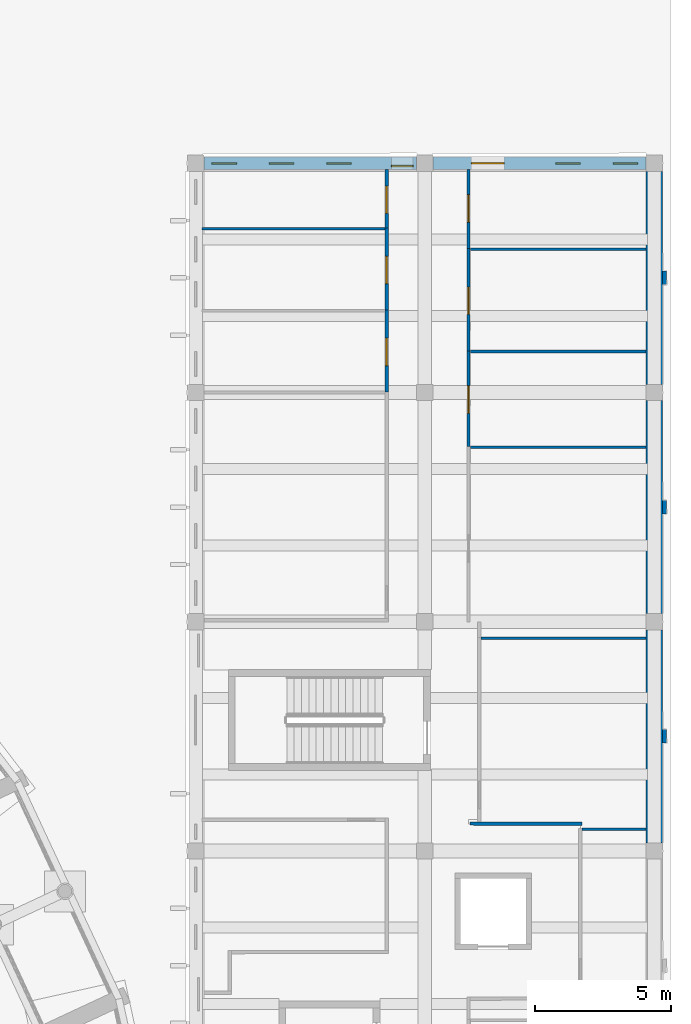
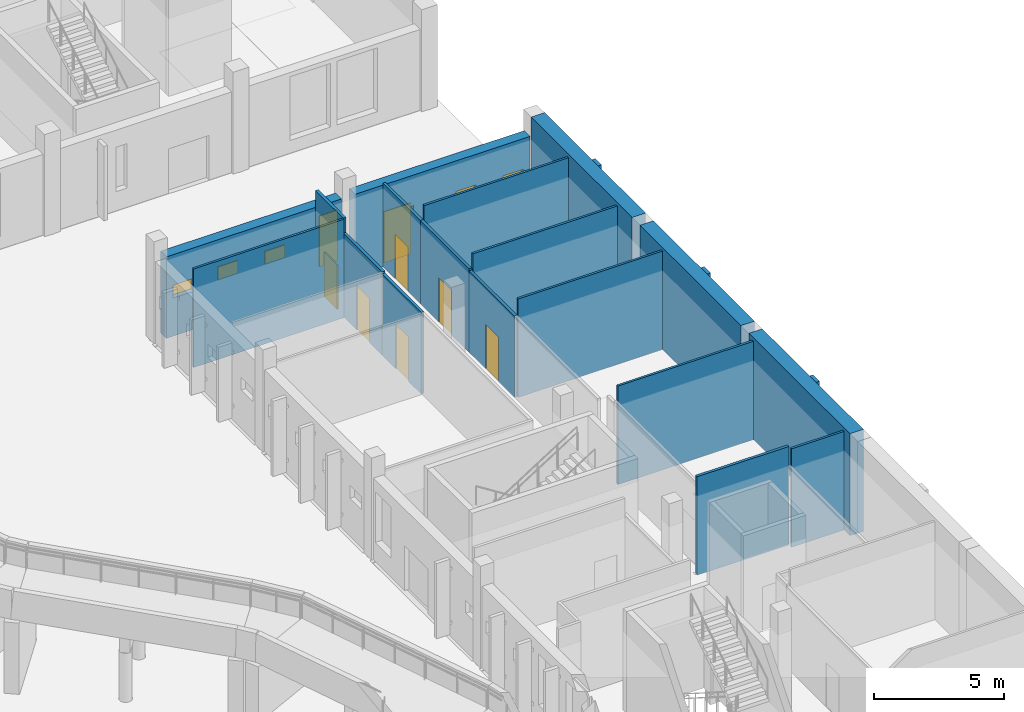
# One storey, part 61 of 110: 21 walls, 7 doors, 6 windows, 13 openings.
"""IFC4 building model written with IfcOpenShell, lengths in metres."""

from ifc_helpers import new_model, si_unit, direction, frame, frame_2d, origin, place, context, subcontext, project, spatial, rectangle, extrude, material, layer, layer_set, type_object, element, fill, save


model = new_model("IFC4")

# Units and contexts
model_context = context("Model", 3, precision=1e-05, world=origin(), true_north=direction((0.0, 1.0)))
body_context = subcontext(model_context, "Body", "Model", "MODEL_VIEW")
ifc_project = project(units=[si_unit("LENGTHUNIT", "METRE"), si_unit("AREAUNIT", "SQUARE_METRE"), si_unit("VOLUMEUNIT", "CUBIC_METRE"), si_unit("PLANEANGLEUNIT", "RADIAN"), si_unit("MASSUNIT", "GRAM", prefix="KILO")], contexts=[model_context])

# Site, building, storey
site_placement = place(None, origin())
site = spatial("IfcSite", under=ifc_project, at=site_placement, CompositionType="ELEMENT")
building_placement = place(site_placement, origin())
building = spatial("IfcBuilding", under=site, at=building_placement, Name="Larchfold Concert Hall", CompositionType="ELEMENT")
storey_placement = place(building_placement, origin())
storey = spatial("IfcBuildingStorey", under=building, at=storey_placement, Name="L00", CompositionType="ELEMENT", Elevation=0.0)

# Wall
ifc_material_1 = material(Name="Plasterboard partition on steel studs", Category="steel")
ifc_layer_1 = layer(ifc_material_1, 0.125)
ifc_layer_set_1 = layer_set([ifc_layer_1], Name="Plasterboard partition on steel studs")
wall_type_1 = type_object("IfcWallType", Name="Corridor partition 125 EI 60", PredefinedType="PARTITIONING", material=ifc_layer_set_1)
wall_1_placement = place(storey_placement, frame((94.66162109375, 35.207763671875, 0.0), z_axis=(0.0, 0.0, 1.0), x_axis=(0.999997702175, -0.002143745446, 0.0)))
element("IfcWall", 1, at=wall_1_placement, inside=storey, type_object=wall_type_1, Name="Partition IW0053", PredefinedType="PARTITIONING", context=body_context, shape_type="SweptSolid", body=[
    extrude(rectangle(XDim=4.099853515625, YDim=0.125, at=frame_2d((2.0498046875, 0.0))), origin(), (0.0, 0.0, 1.0), 4.639892578125),
])

# Wall, opening, door
wall_2_placement = place(storey_placement, frame((94.60009765625, 52.52001953125, 0.0), z_axis=(0.0, 0.0, 1.0), x_axis=(-0.000279017846, -0.999999961075, 0.0)))
wall_2 = element("IfcWall", 2, at=wall_2_placement, inside=storey, type_object=wall_type_1, Name="Partition IW0058", PredefinedType="PARTITIONING", context=body_context, shape_type="SweptSolid", body=[
    extrude(rectangle(XDim=3.5, YDim=0.125, at=frame_2d((1.75, 0.0))), origin(), (0.0, 0.0, 1.0), 3.840087890625),
])
opening_1_placement = place(wall_2_placement, frame((1.27978515625, 0.0, 0.0)))
opening_1 = element("IfcOpeningElement", 3, at=opening_1_placement, cuts=wall_2, Name="Opening D-L00-123", PredefinedType="OPENING", context=body_context, shape_type="SweptSolid", body=[
    extrude(rectangle(XDim=1.0, YDim=2.10009765625, at=frame_2d((0.5, 1.050048828125))), frame((0.0, 0.072509765625, 0.0), z_axis=(0.0, -1.0, 0.0), x_axis=(1.0, 0.0, 0.0)), (0.0, 0.0, 1.0), 0.14501953125),
])
ifc_material_2 = material(Name="Timber door leaf", Category="wood")
door_type_1 = type_object("IfcDoorType", Name="Accessible WC door 1000 x 2100 FD30S", OperationType="SINGLE_SWING_LEFT", PredefinedType="DOOR", material=ifc_material_2)
door_1_placement = place(opening_1_placement, origin())
door_1 = element("IfcDoor", 4, at=door_1_placement, inside=storey, type_object=door_type_1, Name="Door D-L00-123", OperationType="SINGLE_SWING_RIGHT", OverallHeight=2.10009765625, OverallWidth=1.0, PredefinedType="DOOR", context=body_context, shape_type="SweptSolid", body=[
    extrude(rectangle(XDim=1.0, YDim=2.10009765625, at=frame_2d((0.5, 1.050048828125))), frame((0.0, 0.02490234375, 0.0), z_axis=(0.0, -1.0, 0.0), x_axis=(1.0, 0.0, 0.0)), (0.0, 0.0, 1.0), 0.050048828125),
])
fill(opening_1, door_1)

wall_3_placement = place(storey_placement, frame((91.60009765625, 51.02001953125, 0.0), z_axis=(0.0, 0.0, 1.0), x_axis=(0.0, 1.0, 0.0)))
wall_3 = element("IfcWall", 5, at=wall_3_placement, inside=storey, type_object=wall_type_1, Name="Partition IW0059", PredefinedType="PARTITIONING", context=body_context, shape_type="SweptSolid", body=[
    extrude(rectangle(XDim=3.0, YDim=0.125, at=frame_2d((1.5, 0.0))), origin(), (0.0, 0.0, 1.0), 3.840087890625),
])
opening_2_placement = place(wall_3_placement, frame((0.969970703125, 0.0, 0.0)))
opening_2 = element("IfcOpeningElement", 6, at=opening_2_placement, cuts=wall_3, Name="Opening D-L00-124", PredefinedType="OPENING", context=body_context, shape_type="SweptSolid", body=[
    extrude(rectangle(XDim=1.0, YDim=2.10009765625, at=frame_2d((0.5, 1.050048828125))), frame((0.0, 0.072509765625, 0.0), z_axis=(0.0, -1.0, 0.0), x_axis=(1.0, 0.0, 0.0)), (0.0, 0.0, 1.0), 0.14501953125),
])
ifc_material_3 = material(Name="Timber door leaf", Category="wood")
door_type_2 = type_object("IfcDoorType", Name="Dressing room door 1000 x 2100 FD30S", OperationType="SINGLE_SWING_LEFT", PredefinedType="DOOR", material=ifc_material_3)
door_2_placement = place(opening_2_placement, origin())
door_2 = element("IfcDoor", 7, at=door_2_placement, inside=storey, type_object=door_type_2, Name="Door D-L00-124", OperationType="SINGLE_SWING_RIGHT", OverallHeight=2.10009765625, OverallWidth=1.0, PredefinedType="DOOR", context=body_context, shape_type="SweptSolid", body=[
    extrude(rectangle(XDim=1.0, YDim=2.10009765625, at=frame_2d((0.5, 1.050048828125))), frame((0.0, 0.02490234375, 0.0), z_axis=(0.0, -1.0, 0.0), x_axis=(1.0, 0.0, 0.0)), (0.0, 0.0, 1.0), 0.050048828125),
])
fill(opening_2, door_2)

wall_4_placement = place(storey_placement, frame((94.60009765625, 56.27001953125, 0.0), z_axis=(0.0, 0.0, 1.0), x_axis=(0.0, -1.0, 0.0)))
wall_4 = element("IfcWall", 8, at=wall_4_placement, inside=storey, type_object=wall_type_1, Name="Partition IW0060", PredefinedType="PARTITIONING", context=body_context, shape_type="SweptSolid", body=[
    extrude(rectangle(XDim=3.75, YDim=0.125, at=frame_2d((1.875, 0.0))), origin(), (0.0, 0.0, 1.0), 3.93994140625),
])
opening_3_placement = place(wall_4_placement, frame((1.40478515625, 0.0, 0.0)))
opening_3 = element("IfcOpeningElement", 9, at=opening_3_placement, cuts=wall_4, Name="Opening D-L00-125", PredefinedType="OPENING", context=body_context, shape_type="SweptSolid", body=[
    extrude(rectangle(XDim=1.0, YDim=2.10009765625, at=frame_2d((0.5, 1.050048828125))), frame((0.0, 0.072509765625, 0.0), z_axis=(0.0, -1.0, 0.0), x_axis=(1.0, 0.0, 0.0)), (0.0, 0.0, 1.0), 0.14501953125),
])
door_3_placement = place(opening_3_placement, origin())
door_3 = element("IfcDoor", 10, at=door_3_placement, inside=storey, type_object=door_type_2, Name="Door D-L00-125", OperationType="SINGLE_SWING_RIGHT", OverallHeight=2.10009765625, OverallWidth=1.0, PredefinedType="DOOR", context=body_context, shape_type="SweptSolid", body=[
    extrude(rectangle(XDim=1.0, YDim=2.10009765625, at=frame_2d((0.5, 1.050048828125))), frame((0.0, 0.02490234375, 0.0), z_axis=(0.0, -1.0, 0.0), x_axis=(1.0, 0.0, 0.0)), (0.0, 0.0, 1.0), 0.050048828125),
])
fill(opening_3, door_3)

wall_5_placement = place(storey_placement, frame((91.60009765625, 54.02001953125, 0.0), z_axis=(0.0, 0.0, 1.0), x_axis=(0.0, 1.0, 0.0)))
wall_5 = element("IfcWall", 11, at=wall_5_placement, inside=storey, type_object=wall_type_1, Name="Partition IW0061", PredefinedType="PARTITIONING", context=body_context, shape_type="SweptSolid", body=[
    extrude(rectangle(XDim=3.0, YDim=0.125, at=frame_2d((1.5, 0.0))), origin(), (0.0, 0.0, 1.0), 3.93994140625),
])
opening_4_placement = place(wall_5_placement, frame((0.969970703125, 0.0, 0.0)))
opening_4 = element("IfcOpeningElement", 12, at=opening_4_placement, cuts=wall_5, Name="Opening D-L00-126", PredefinedType="OPENING", context=body_context, shape_type="SweptSolid", body=[
    extrude(rectangle(XDim=1.0, YDim=2.10009765625, at=frame_2d((0.5, 1.050048828125))), frame((0.0, 0.072509765625, 0.0), z_axis=(0.0, -1.0, 0.0), x_axis=(1.0, 0.0, 0.0)), (0.0, 0.0, 1.0), 0.14501953125),
])
door_4_placement = place(opening_4_placement, origin())
door_4 = element("IfcDoor", 13, at=door_4_placement, inside=storey, type_object=door_type_2, Name="Door D-L00-126", OperationType="SINGLE_SWING_RIGHT", OverallHeight=2.10009765625, OverallWidth=1.0, PredefinedType="DOOR", context=body_context, shape_type="SweptSolid", body=[
    extrude(rectangle(XDim=1.0, YDim=2.10009765625, at=frame_2d((0.5, 1.050048828125))), frame((0.0, 0.02490234375, 0.0), z_axis=(0.0, -1.0, 0.0), x_axis=(1.0, 0.0, 0.0)), (0.0, 0.0, 1.0), 0.050048828125),
])
fill(opening_4, door_4)

wall_6_placement = place(storey_placement, frame((91.60009765625, 57.02001953125, 0.0), z_axis=(0.0, 0.0, 1.0), x_axis=(0.0, 1.0, 0.0)))
wall_6 = element("IfcWall", 14, at=wall_6_placement, inside=storey, type_object=wall_type_1, Name="Partition IW0062", PredefinedType="PARTITIONING", context=body_context, shape_type="SweptSolid", body=[
    extrude(rectangle(XDim=2.15478515625, YDim=0.125, at=frame_2d((1.077392578125, 0.0))), origin(), (0.0, 0.0, 1.0), 4.639892578125),
])
opening_5_placement = place(wall_6_placement, frame((0.5400390625, 0.0, 0.0)))
opening_5 = element("IfcOpeningElement", 15, at=opening_5_placement, cuts=wall_6, Name="Opening D-L00-127", PredefinedType="OPENING", context=body_context, shape_type="SweptSolid", body=[
    extrude(rectangle(XDim=1.0, YDim=2.10009765625, at=frame_2d((0.5, 1.050048828125))), frame((0.0, 0.072509765625, 0.0), z_axis=(0.0, -1.0, 0.0), x_axis=(1.0, 0.0, 0.0)), (0.0, 0.0, 1.0), 0.14501953125),
])
door_5_placement = place(opening_5_placement, origin())
door_5 = element("IfcDoor", 16, at=door_5_placement, inside=storey, type_object=door_type_2, Name="Door D-L00-127", OperationType="SINGLE_SWING_RIGHT", OverallHeight=2.10009765625, OverallWidth=1.0, PredefinedType="DOOR", context=body_context, shape_type="SweptSolid", body=[
    extrude(rectangle(XDim=1.0, YDim=2.10009765625, at=frame_2d((0.5, 1.050048828125))), frame((0.0, 0.02490234375, 0.0), z_axis=(0.0, -1.0, 0.0), x_axis=(1.0, 0.0, 0.0)), (0.0, 0.0, 1.0), 0.050048828125),
])
fill(opening_5, door_5)

wall_7_placement = place(storey_placement, frame((94.60009765625, 59.1748046875, 0.0), z_axis=(0.0, 0.0, 1.0), x_axis=(0.0, -1.0, 0.0)))
wall_7 = element("IfcWall", 17, at=wall_7_placement, inside=storey, type_object=wall_type_1, Name="Partition IW0063", PredefinedType="PARTITIONING", context=body_context, shape_type="SweptSolid", body=[
    extrude(rectangle(XDim=2.90478515625, YDim=0.125, at=frame_2d((1.452392578125, 0.0))), origin(), (0.0, 0.0, 1.0), 3.93994140625),
])
opening_6_placement = place(wall_7_placement, frame((0.93505859375, 0.0, 0.0)))
opening_6 = element("IfcOpeningElement", 18, at=opening_6_placement, cuts=wall_7, Name="Opening D-L00-128", PredefinedType="OPENING", context=body_context, shape_type="SweptSolid", body=[
    extrude(rectangle(XDim=1.0, YDim=2.10009765625, at=frame_2d((0.5, 1.050048828125))), frame((0.0, 0.072509765625, 0.0), z_axis=(0.0, -1.0, 0.0), x_axis=(1.0, 0.0, 0.0)), (0.0, 0.0, 1.0), 0.14501953125),
])
door_6_placement = place(opening_6_placement, origin())
door_6 = element("IfcDoor", 19, at=door_6_placement, inside=storey, type_object=door_type_2, Name="Door D-L00-128", OperationType="SINGLE_SWING_RIGHT", OverallHeight=2.10009765625, OverallWidth=1.0, PredefinedType="DOOR", context=body_context, shape_type="SweptSolid", body=[
    extrude(rectangle(XDim=1.0, YDim=2.10009765625, at=frame_2d((0.5, 1.050048828125))), frame((0.0, 0.02490234375, 0.0), z_axis=(0.0, -1.0, 0.0), x_axis=(1.0, 0.0, 0.0)), (0.0, 0.0, 1.0), 0.050048828125),
])
fill(opening_6, door_6)

# Walls
ifc_material_4 = material(Name="Plasterboard partition on steel studs", Category="steel")
ifc_layer_2 = layer(ifc_material_4, 0.10009765625)
ifc_layer_set_2 = layer_set([ifc_layer_2], Name="Plasterboard partition on steel studs")
wall_type_2 = type_object("IfcWallType", Name="Stud partition 100", PredefinedType="PARTITIONING", material=ifc_layer_set_2)
wall_8_placement = place(storey_placement, frame((98.764892578125, 35.0, 0.0), z_axis=(0.0, 0.0, 1.0), x_axis=(1.0, 0.0, 0.0)))
element("IfcWall", 20, at=wall_8_placement, inside=storey, type_object=wall_type_2, Name="Partition IW0068", PredefinedType="PARTITIONING", context=body_context, shape_type="SweptSolid", body=[
    extrude(rectangle(XDim=2.335205078125, YDim=0.10009765625, at=frame_2d((1.16748046875, 0.0))), origin(), (0.0, 0.0, 1.0), 4.639892578125),
])
wall_9_placement = place(storey_placement, frame((95.06494140625, 42.0, 0.0), z_axis=(0.0, 0.0, 1.0), x_axis=(1.0, 0.0, 0.0)))
element("IfcWall", 21, at=wall_9_placement, inside=storey, type_object=wall_type_2, Name="Partition IW0069", PredefinedType="PARTITIONING", context=body_context, shape_type="SweptSolid", body=[
    extrude(rectangle(XDim=6.03515625, YDim=0.10009765625, at=frame_2d((3.017578125, 0.0))), origin(), (0.0, 0.0, 1.0), 4.639892578125),
])
for number, where, z_axis, x_axis, name in (
    (22, (94.6650390625, 49.0, 0.0), (0.0, 0.0, 1.0), (1.0, 0.0, 0.0), "Partition IW0070"),
    (23, (94.6650390625, 52.5, 0.0), (0.0, 0.0, 1.0), (1.0, 0.0, 0.0), "Partition IW0072"),
    (24, (94.6650390625, 56.25, 0.0), (0.0, 0.0, 1.0), (1.0, 0.0, 0.0), "Partition IW0074"),
):
    element("IfcWall", number, at=place(storey_placement, frame(where, z_axis=z_axis, x_axis=x_axis)), inside=storey, type_object=wall_type_2, Name=name, PredefinedType="PARTITIONING", context=body_context, shape_type="SweptSolid", body=[
        extrude(rectangle(XDim=6.43505859375, YDim=0.10009765625, at=frame_2d((3.217529296875, 0.0))), origin(), (0.0, 0.0, 1.0), 4.639892578125),
    ])
wall_10_placement = place(storey_placement, frame((84.8251953125, 57.0, 0.0), z_axis=(0.0, 0.0, 1.0), x_axis=(1.0, 0.0, 0.0)))
element("IfcWall", 25, at=wall_10_placement, inside=storey, type_object=wall_type_2, Name="Partition IW0075", PredefinedType="PARTITIONING", context=body_context, shape_type="SweptSolid", body=[
    extrude(rectangle(XDim=6.709716796875, YDim=0.10009765625, at=frame_2d((3.35498046875, 0.0))), origin(), (0.0, 0.0, 1.0), 4.639892578125),
])
ifc_material_5 = material(Name="Concrete C40/50", Category="concrete")
ifc_layer_3 = layer(ifc_material_5, 0.60009765625)
ifc_layer_set_3 = layer_set([ifc_layer_3], Name="Concrete C40/50")
wall_type_3 = type_object("IfcWallType", Name="Wall RC 600 party wall", PredefinedType="SOLIDWALL", material=ifc_layer_set_3)
for number, where, z_axis, x_axis, name in (
    (26, (101.39990234375, 34.5, 0.0), (0.0, 0.0, 1.0), (0.0, 1.0, 0.0), "Wall W0024"),
    (27, (101.39990234375, 42.89990234375, 0.0), (0.0, 0.0, 1.0), (0.0, 1.0, 0.0), "Wall W0025"),
    (28, (101.39990234375, 51.300048828125, 0.0), (0.0, 0.0, 1.0), (0.0, 1.0, 0.0), "Wall W0026"),
):
    element("IfcWall", number, at=place(storey_placement, frame(where, z_axis=z_axis, x_axis=x_axis)), inside=storey, type_object=wall_type_3, Name=name, PredefinedType="SOLIDWALL", context=body_context, shape_type="SweptSolid", body=[
        extrude(rectangle(XDim=7.800048828125, YDim=0.60009765625, at=frame_2d((3.89990234375, 0.0))), origin(), (0.0, 0.0, 1.0), 4.800048828125),
    ])

# Wall, openings, door, windows
ifc_material_6 = material(Name="White render on mineral wool and block")
ifc_layer_4 = layer(ifc_material_6, 0.449951171875)
ifc_layer_set_4 = layer_set([ifc_layer_4], Name="White render on mineral wool and block")
wall_type_4 = type_object("IfcWallType", Name="White render infill wall 450", PredefinedType="SOLIDWALL", material=ifc_layer_set_4)
wall_11_placement = place(storey_placement, frame((101.099853515625, 59.39990234375, 0.0), z_axis=(0.0, 0.0, 1.0), x_axis=(-1.0, 0.0, 0.0)))
wall_11 = element("IfcWall", 29, at=wall_11_placement, inside=storey, type_object=wall_type_4, Name="Infill wall W5123", PredefinedType="SOLIDWALL", context=body_context, shape_type="SweptSolid", body=[
    extrude(rectangle(XDim=7.7998046875, YDim=0.449951171875, at=frame_2d((3.89990234375, 0.0))), origin(), (0.0, 0.0, 1.0), 3.840087890625),
])
opening_7_placement = place(wall_11_placement, frame((5.19970703125, 0.0, 0.0)))
opening_7 = element("IfcOpeningElement", 30, at=opening_7_placement, cuts=wall_11, Name="Opening D-L00-219", PredefinedType="OPENING", context=body_context, shape_type="SweptSolid", body=[
    extrude(rectangle(XDim=1.199951171875, YDim=2.39990234375, at=frame_2d((0.60009765625, 1.199951171875))), frame((0.0, 0.23486328125, 0.0), z_axis=(0.0, -1.0, 0.0), x_axis=(1.0, 0.0, 0.0)), (0.0, 0.0, 1.0), 0.469970703125),
])
opening_8_placement = place(wall_11_placement, frame((2.39990234375, 0.0, 1.800048828125)))
opening_8 = element("IfcOpeningElement", 31, at=opening_8_placement, cuts=wall_11, Name="Opening WN-L00-050", PredefinedType="OPENING", context=body_context, shape_type="SweptSolid", body=[
    extrude(rectangle(XDim=0.89990234375, YDim=0.60009765625, at=frame_2d((0.449951171875, 0.300048828125))), frame((0.0, 0.23486328125, 0.0), z_axis=(0.0, -1.0, 0.0), x_axis=(1.0, 0.0, 0.0)), (0.0, 0.0, 1.0), 0.469970703125),
])
opening_9_placement = place(wall_11_placement, frame((0.2998046875, 0.0, 1.800048828125)))
opening_9 = element("IfcOpeningElement", 32, at=opening_9_placement, cuts=wall_11, Name="Opening WN-L00-051", PredefinedType="OPENING", context=body_context, shape_type="SweptSolid", body=[
    extrude(rectangle(XDim=0.89990234375, YDim=0.60009765625, at=frame_2d((0.449951171875, 0.300048828125))), frame((0.0, 0.23486328125, 0.0), z_axis=(0.0, -1.0, 0.0), x_axis=(1.0, 0.0, 0.0)), (0.0, 0.0, 1.0), 0.469970703125),
])
ifc_material_7 = material(Name="Anodised graphite aluminium door leaf", Category="aluminium")
door_type_3 = type_object("IfcDoorType", Name="Service door single 1200x2400", OperationType="SINGLE_SWING_LEFT", PredefinedType="DOOR", material=ifc_material_7)
door_7_placement = place(opening_7_placement, origin())
door_7 = element("IfcDoor", 33, at=door_7_placement, inside=storey, type_object=door_type_3, Name="Door D-L00-219", OperationType="SINGLE_SWING_LEFT", OverallHeight=2.39990234375, OverallWidth=1.199951171875, PredefinedType="DOOR", context=body_context, shape_type="SweptSolid", body=[
    extrude(rectangle(XDim=1.199951171875, YDim=2.39990234375, at=frame_2d((0.60009765625, 1.199951171875))), frame((0.0, 0.02490234375, 0.0), z_axis=(0.0, -1.0, 0.0), x_axis=(1.0, 0.0, 0.0)), (0.0, 0.0, 1.0), 0.050048828125),
])
fill(opening_7, door_7)
ifc_material_8 = material(Name="Anodised graphite aluminium frame with obscured glass", Category="aluminium")
window_type_1 = type_object("IfcWindowType", Name="Toilet high window 900x600", PartitioningType="SINGLE_PANEL", PredefinedType="WINDOW", material=ifc_material_8)
window_1_placement = place(opening_8_placement, origin())
window_1 = element("IfcWindow", 34, at=window_1_placement, inside=storey, type_object=window_type_1, Name="Window WN-L00-050", OverallHeight=0.60009765625, OverallWidth=0.89990234375, PartitioningType="SINGLE_PANEL", PredefinedType="WINDOW", context=body_context, shape_type="SweptSolid", body=[
    extrude(rectangle(XDim=0.89990234375, YDim=0.60009765625, at=frame_2d((0.449951171875, 0.300048828125))), frame((0.0, 0.034912109375, 0.0), z_axis=(0.0, -1.0, 0.0), x_axis=(1.0, 0.0, 0.0)), (0.0, 0.0, 1.0), 0.06005859375),
])
fill(opening_8, window_1)
window_2_placement = place(opening_9_placement, origin())
window_2 = element("IfcWindow", 35, at=window_2_placement, inside=storey, type_object=window_type_1, Name="Window WN-L00-051", OverallHeight=0.60009765625, OverallWidth=0.89990234375, PartitioningType="SINGLE_PANEL", PredefinedType="WINDOW", context=body_context, shape_type="SweptSolid", body=[
    extrude(rectangle(XDim=0.89990234375, YDim=0.60009765625, at=frame_2d((0.449951171875, 0.300048828125))), frame((0.0, 0.034912109375, 0.0), z_axis=(0.0, -1.0, 0.0), x_axis=(1.0, 0.0, 0.0)), (0.0, 0.0, 1.0), 0.06005859375),
])
fill(opening_9, window_2)

# Wall, openings, windows
wall_12_placement = place(storey_placement, frame((92.699951171875, 59.39990234375, 0.0), z_axis=(0.0, 0.0, 1.0), x_axis=(-1.0, 0.0, 0.0)))
wall_12 = element("IfcWall", 36, at=wall_12_placement, inside=storey, type_object=wall_type_4, Name="Infill wall W5124", PredefinedType="SOLIDWALL", context=body_context, shape_type="SweptSolid", body=[
    extrude(rectangle(XDim=7.7998046875, YDim=0.449951171875, at=frame_2d((3.89990234375, 0.0))), origin(), (0.0, 0.0, 1.0), 3.840087890625),
])
opening_10_placement = place(wall_12_placement, frame((6.599853515625, 0.0, 1.800048828125)))
opening_10 = element("IfcOpeningElement", 37, at=opening_10_placement, cuts=wall_12, Name="Opening WN-L00-052", PredefinedType="OPENING", context=body_context, shape_type="SweptSolid", body=[
    extrude(rectangle(XDim=0.89990234375, YDim=0.60009765625, at=frame_2d((0.449951171875, 0.300048828125))), frame((0.0, 0.23486328125, 0.0), z_axis=(0.0, -1.0, 0.0), x_axis=(1.0, 0.0, 0.0)), (0.0, 0.0, 1.0), 0.469970703125),
])
opening_11_placement = place(wall_12_placement, frame((4.5, 0.0, 1.800048828125)))
opening_11 = element("IfcOpeningElement", 38, at=opening_11_placement, cuts=wall_12, Name="Opening WN-L00-053", PredefinedType="OPENING", context=body_context, shape_type="SweptSolid", body=[
    extrude(rectangle(XDim=0.89990234375, YDim=0.60009765625, at=frame_2d((0.449951171875, 0.300048828125))), frame((0.0, 0.23486328125, 0.0), z_axis=(0.0, -1.0, 0.0), x_axis=(1.0, 0.0, 0.0)), (0.0, 0.0, 1.0), 0.469970703125),
])
opening_12_placement = place(wall_12_placement, frame((2.39990234375, 0.0, 1.800048828125)))
opening_12 = element("IfcOpeningElement", 39, at=opening_12_placement, cuts=wall_12, Name="Opening WN-L00-054", PredefinedType="OPENING", context=body_context, shape_type="SweptSolid", body=[
    extrude(rectangle(XDim=0.89990234375, YDim=0.60009765625, at=frame_2d((0.449951171875, 0.300048828125))), frame((0.0, 0.23486328125, 0.0), z_axis=(0.0, -1.0, 0.0), x_axis=(1.0, 0.0, 0.0)), (0.0, 0.0, 1.0), 0.469970703125),
])
opening_13_placement = place(wall_12_placement, frame((0.128662109375, 0.0, 0.89990234375)))
opening_13 = element("IfcOpeningElement", 40, at=opening_13_placement, cuts=wall_12, Name="Opening WN-L00-055", PredefinedType="OPENING", context=body_context, shape_type="SweptSolid", body=[
    extrude(rectangle(XDim=0.800048828125, YDim=2.39990234375, at=frame_2d((0.39990234375, 1.199951171875))), frame((0.0, 0.23486328125, 0.0), z_axis=(0.0, -1.0, 0.0), x_axis=(1.0, 0.0, 0.0)), (0.0, 0.0, 1.0), 0.469970703125),
])
ifc_material_9 = material(Name="Anodised graphite aluminium frame with glass", Category="aluminium")
window_type_2 = type_object("IfcWindowType", Name="Slot window 800x2400", PartitioningType="SINGLE_PANEL", PredefinedType="WINDOW", material=ifc_material_9)
window_3_placement = place(opening_13_placement, origin())
window_3 = element("IfcWindow", 41, at=window_3_placement, inside=storey, type_object=window_type_2, Name="Window WN-L00-055", OverallHeight=2.39990234375, OverallWidth=0.800048828125, PartitioningType="SINGLE_PANEL", PredefinedType="WINDOW", context=body_context, shape_type="SweptSolid", body=[
    extrude(rectangle(XDim=0.800048828125, YDim=2.39990234375, at=frame_2d((0.39990234375, 1.199951171875))), frame((0.0, 0.135009765625, 0.0), z_axis=(0.0, -1.0, 0.0), x_axis=(1.0, 0.0, 0.0)), (0.0, 0.0, 1.0), 0.06005859375),
])
fill(opening_13, window_3)
window_4_placement = place(opening_10_placement, origin())
window_4 = element("IfcWindow", 42, at=window_4_placement, inside=storey, type_object=window_type_1, Name="Window WN-L00-052", OverallHeight=0.60009765625, OverallWidth=0.89990234375, PartitioningType="SINGLE_PANEL", PredefinedType="WINDOW", context=body_context, shape_type="SweptSolid", body=[
    extrude(rectangle(XDim=0.89990234375, YDim=0.60009765625, at=frame_2d((0.449951171875, 0.300048828125))), frame((0.0, 0.034912109375, 0.0), z_axis=(0.0, -1.0, 0.0), x_axis=(1.0, 0.0, 0.0)), (0.0, 0.0, 1.0), 0.06005859375),
])
fill(opening_10, window_4)
window_5_placement = place(opening_11_placement, origin())
window_5 = element("IfcWindow", 43, at=window_5_placement, inside=storey, type_object=window_type_1, Name="Window WN-L00-053", OverallHeight=0.60009765625, OverallWidth=0.89990234375, PartitioningType="SINGLE_PANEL", PredefinedType="WINDOW", context=body_context, shape_type="SweptSolid", body=[
    extrude(rectangle(XDim=0.89990234375, YDim=0.60009765625, at=frame_2d((0.449951171875, 0.300048828125))), frame((0.0, 0.034912109375, 0.0), z_axis=(0.0, -1.0, 0.0), x_axis=(1.0, 0.0, 0.0)), (0.0, 0.0, 1.0), 0.06005859375),
])
fill(opening_11, window_5)
window_6_placement = place(opening_12_placement, origin())
window_6 = element("IfcWindow", 44, at=window_6_placement, inside=storey, type_object=window_type_1, Name="Window WN-L00-054", OverallHeight=0.60009765625, OverallWidth=0.89990234375, PartitioningType="SINGLE_PANEL", PredefinedType="WINDOW", context=body_context, shape_type="SweptSolid", body=[
    extrude(rectangle(XDim=0.89990234375, YDim=0.60009765625, at=frame_2d((0.449951171875, 0.300048828125))), frame((0.0, 0.034912109375, 0.0), z_axis=(0.0, -1.0, 0.0), x_axis=(1.0, 0.0, 0.0)), (0.0, 0.0, 1.0), 0.06005859375),
])
fill(opening_12, window_6)

# Walls
ifc_material_10 = material(Name="White render on insulated block")
ifc_layer_5 = layer(ifc_material_10, 0.14990234375)
ifc_layer_set_5 = layer_set([ifc_layer_5], Name="White render on insulated block")
wall_type_5 = type_object("IfcWallType", Name="White render pilaster 150", PredefinedType="SOLIDWALL", material=ifc_layer_set_5)
for number, where, z_axis, x_axis, name in (
    (45, (101.77490234375, 38.14990234375, 0.0), (0.0, 0.0, 1.0), (0.0, 1.0, 0.0), "Pilaster W5342"),
    (46, (101.77490234375, 46.550048828125, 0.0), (0.0, 0.0, 1.0), (0.0, 1.0, 0.0), "Pilaster W5343"),
    (47, (101.77490234375, 54.949951171875, 0.0), (0.0, 0.0, 1.0), (0.0, 1.0, 0.0), "Pilaster W5344"),
):
    element("IfcWall", number, at=place(storey_placement, frame(where, z_axis=z_axis, x_axis=x_axis)), inside=storey, type_object=wall_type_5, Name=name, PredefinedType="SOLIDWALL", context=body_context, shape_type="SweptSolid", body=[
        extrude(rectangle(XDim=0.5, YDim=0.14990234375, at=frame_2d((0.25, 0.0))), origin(), (0.0, 0.0, 1.0), 4.800048828125),
    ])

save(model, "model.ifc")
